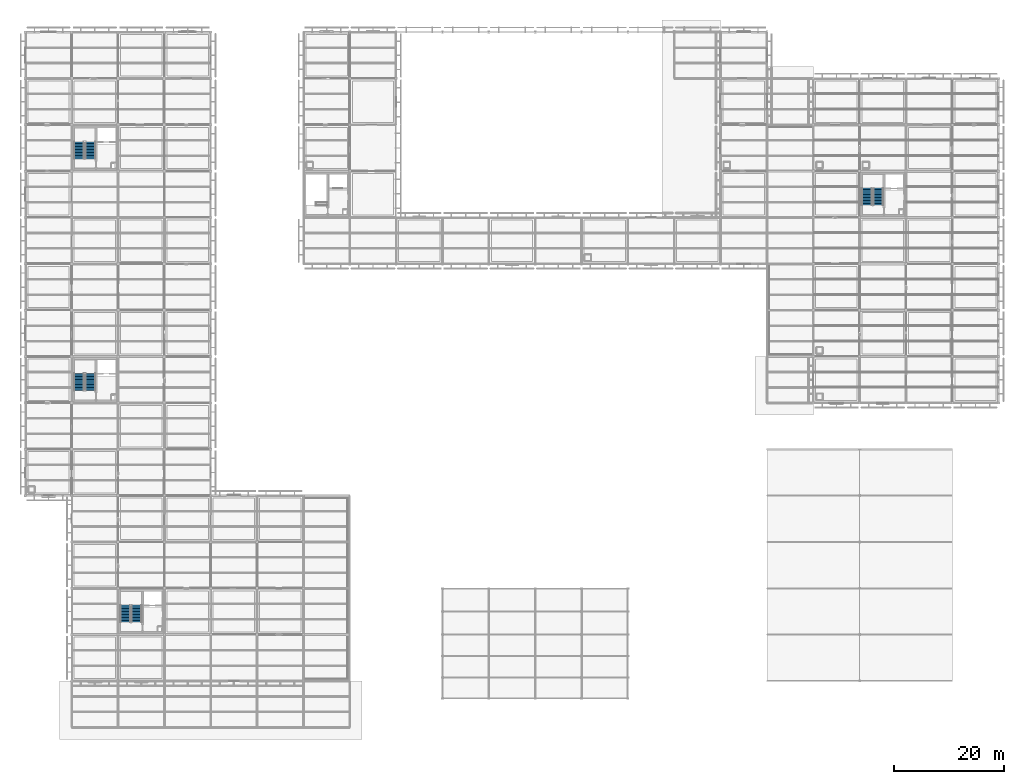
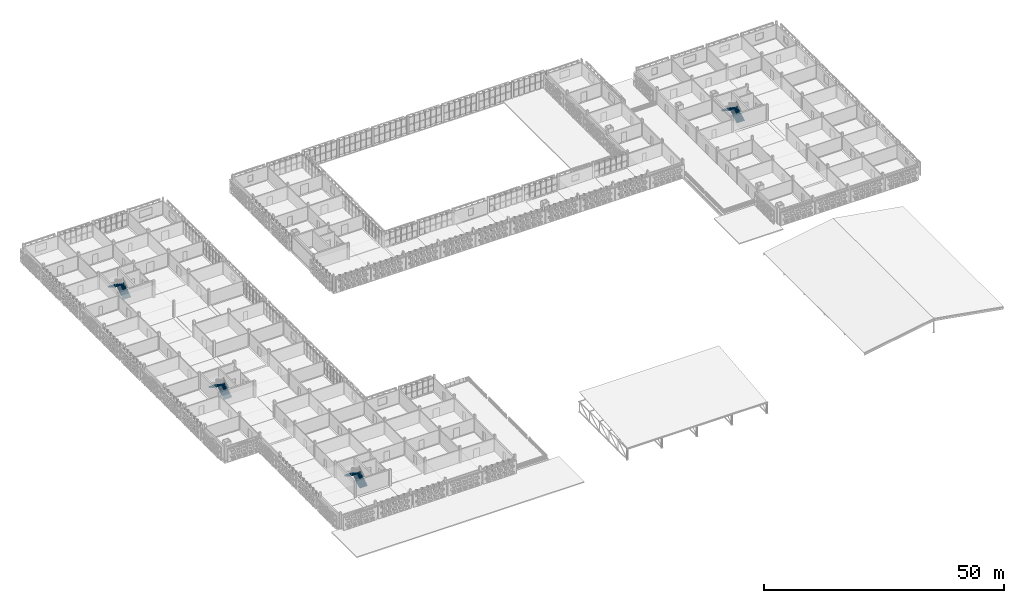
# One storey, part 93 of 140: 8 stair flights, 4 elements without a shape of their own.
"""IFC4 building model written with IfcOpenShell, lengths in metres."""

from ifc_helpers import new_model, si_unit, direction, frame, origin, place, context, subcontext, project, spatial, polyline, outline, extrude, material, type_object, element, aggregate, save


model = new_model("IFC4")

# Units and contexts
model_context = context("Model", 3, precision=1e-05, world=origin(), true_north=direction((0.0, 1.0)))
body_context = subcontext(model_context, "Body", "Model", "MODEL_VIEW")
ifc_project = project(units=[si_unit("LENGTHUNIT", "METRE"), si_unit("AREAUNIT", "SQUARE_METRE"), si_unit("VOLUMEUNIT", "CUBIC_METRE"), si_unit("PLANEANGLEUNIT", "RADIAN"), si_unit("MASSUNIT", "GRAM", prefix="KILO")], contexts=[model_context])

# Site, building, storey
site_placement = place(None, origin())
site = spatial("IfcSite", under=ifc_project, at=site_placement, CompositionType="ELEMENT")
building_placement = place(site_placement, origin())
building = spatial("IfcBuilding", under=site, at=building_placement, Name="Varnapada Polytechnic", CompositionType="ELEMENT")
storey_placement = place(building_placement, frame((0.0, 0.0, 13.800048828125)))
storey = spatial("IfcBuildingStorey", under=building, at=storey_placement, Name="L03", CompositionType="ELEMENT", Elevation=13.800048828125)

# Stair, stair flights
ifc_material = material(Name="Concrete C40/50", Category="concrete")
stair_type_1 = type_object("IfcStairType", Name="Core Exit Stair ST-A", PredefinedType="HALF_TURN_STAIR", material=ifc_material)
stair_1_placement = place(storey_placement, origin())
stair_1 = element("IfcStair", 1, at=stair_1_placement, inside=storey, type_object=stair_type_1, Name="L03 Core C1 Exit Stair", PredefinedType="HALF_TURN_STAIR")
stair_flight_type = type_object("IfcStairFlightType", Name="Stair Flight SFL-01", PredefinedType="STRAIGHT", material=ifc_material)
stair_flight_1_placement = place(storey_placement, frame((11.77490234375, 103.050048828125, 0.0), z_axis=(0.0, 0.0, 1.0), x_axis=(0.0, 1.0, 0.0)))
stair_flight_1 = element("IfcStairFlight", 2, at=stair_flight_1_placement, type_object=stair_flight_type, Name="ST-1 flight 1", NumberOfRisers=12, NumberOfTreads=11, PredefinedType="STRAIGHT", RiserHeight=0.175, TreadLength=0.28, context=body_context, shape_type="SweptSolid", body=[
    extrude(outline(polyline([(0.0, 0.0), (0.0, 0.175048828125), (0.280029296875, 0.175048828125), (0.280029296875, 0.35009765625), (0.56005859375, 0.35009765625), (0.56005859375, 0.52490234375), (0.840087890625, 0.52490234375), (0.840087890625, 0.699951171875), (1.1201171875, 0.699951171875), (1.1201171875, 0.875), (1.39990234375, 0.875), (1.39990234375, 1.050048828125), (1.679931640625, 1.050048828125), (1.679931640625, 1.22509765625), (1.9599609375, 1.22509765625), (1.9599609375, 1.39990234375), (2.239990234375, 1.39990234375), (2.239990234375, 1.574951171875), (2.52001953125, 1.574951171875), (2.52001953125, 1.75), (2.800048828125, 1.75), (2.800048828125, 1.925048828125), (3.080078125, 1.925048828125), (3.080078125, 2.10009765625), (3.080078125, 1.712890625), (0.339599609375, 0.0), (0.0, 0.0)])), frame((0.0, 0.925048828125, 0.0), z_axis=(0.0, -1.0, 0.0), x_axis=(1.0, 0.0, 0.0)), (0.0, 0.0, 1.0), 1.85009765625),
])
stair_flight_2_placement = place(storey_placement, frame((9.72509765625, 106.1298828125, 2.099853515625), z_axis=(0.0, 0.0, 1.0), x_axis=(0.0, -1.0, 0.0)))
stair_flight_2 = element("IfcStairFlight", 3, at=stair_flight_2_placement, type_object=stair_flight_type, Name="ST-1 flight 2", NumberOfRisers=12, NumberOfTreads=11, PredefinedType="STRAIGHT", RiserHeight=0.175, TreadLength=0.28, context=body_context, shape_type="SweptSolid", body=[
    extrude(outline(polyline([(0.0, 0.0), (0.0, 0.175048828125), (0.280029296875, 0.175048828125), (0.280029296875, 0.35009765625), (0.56005859375, 0.35009765625), (0.56005859375, 0.52490234375), (0.840087890625, 0.52490234375), (0.840087890625, 0.699951171875), (1.1201171875, 0.699951171875), (1.1201171875, 0.875), (1.39990234375, 0.875), (1.39990234375, 1.050048828125), (1.679931640625, 1.050048828125), (1.679931640625, 1.22509765625), (1.9599609375, 1.22509765625), (1.9599609375, 1.39990234375), (2.239990234375, 1.39990234375), (2.239990234375, 1.574951171875), (2.52001953125, 1.574951171875), (2.52001953125, 1.75), (2.800048828125, 1.75), (2.800048828125, 1.925048828125), (3.080078125, 1.925048828125), (3.080078125, 2.10009765625), (3.080078125, 1.712890625), (0.339599609375, 0.0), (0.0, 0.0)])), frame((0.0, 0.925048828125, 0.0), z_axis=(0.0, -1.0, 0.0), x_axis=(1.0, 0.0, 0.0)), (0.0, 0.0, 1.0), 1.85009765625),
])
aggregate(stair_1, [stair_flight_1, stair_flight_2])

stair_2_placement = place(storey_placement, origin())
stair_2 = element("IfcStair", 4, at=stair_2_placement, inside=storey, type_object=stair_type_1, Name="L03 Core C2 Exit Stair", PredefinedType="HALF_TURN_STAIR")
stair_flight_3_placement = place(storey_placement, frame((11.77490234375, 61.050048828125, 0.0), z_axis=(0.0, 0.0, 1.0), x_axis=(0.0, 1.0, 0.0)))
stair_flight_3 = element("IfcStairFlight", 5, at=stair_flight_3_placement, type_object=stair_flight_type, Name="ST-2 flight 1", NumberOfRisers=12, NumberOfTreads=11, PredefinedType="STRAIGHT", RiserHeight=0.175, TreadLength=0.28, context=body_context, shape_type="SweptSolid", body=[
    extrude(outline(polyline([(0.0, 0.0), (0.0, 0.175048828125), (0.280029296875, 0.175048828125), (0.280029296875, 0.35009765625), (0.56005859375, 0.35009765625), (0.56005859375, 0.52490234375), (0.840087890625, 0.52490234375), (0.840087890625, 0.699951171875), (1.1201171875, 0.699951171875), (1.1201171875, 0.875), (1.39990234375, 0.875), (1.39990234375, 1.050048828125), (1.679931640625, 1.050048828125), (1.679931640625, 1.22509765625), (1.9599609375, 1.22509765625), (1.9599609375, 1.39990234375), (2.239990234375, 1.39990234375), (2.239990234375, 1.574951171875), (2.52001953125, 1.574951171875), (2.52001953125, 1.75), (2.800048828125, 1.75), (2.800048828125, 1.925048828125), (3.080078125, 1.925048828125), (3.080078125, 2.10009765625), (3.080078125, 1.712890625), (0.339599609375, 0.0), (0.0, 0.0)])), frame((0.0, 0.925048828125, 0.0), z_axis=(0.0, -1.0, 0.0), x_axis=(1.0, 0.0, 0.0)), (0.0, 0.0, 1.0), 1.85009765625),
])
stair_flight_4_placement = place(storey_placement, frame((9.72509765625, 64.1298828125, 2.099853515625), z_axis=(0.0, 0.0, 1.0), x_axis=(0.0, -1.0, 0.0)))
stair_flight_4 = element("IfcStairFlight", 6, at=stair_flight_4_placement, type_object=stair_flight_type, Name="ST-2 flight 2", NumberOfRisers=12, NumberOfTreads=11, PredefinedType="STRAIGHT", RiserHeight=0.175, TreadLength=0.28, context=body_context, shape_type="SweptSolid", body=[
    extrude(outline(polyline([(0.0, 0.0), (0.0, 0.175048828125), (0.280029296875, 0.175048828125), (0.280029296875, 0.35009765625), (0.56005859375, 0.35009765625), (0.56005859375, 0.52490234375), (0.840087890625, 0.52490234375), (0.840087890625, 0.699951171875), (1.1201171875, 0.699951171875), (1.1201171875, 0.875), (1.39990234375, 0.875), (1.39990234375, 1.050048828125), (1.679931640625, 1.050048828125), (1.679931640625, 1.22509765625), (1.9599609375, 1.22509765625), (1.9599609375, 1.39990234375), (2.239990234375, 1.39990234375), (2.239990234375, 1.574951171875), (2.52001953125, 1.574951171875), (2.52001953125, 1.75), (2.800048828125, 1.75), (2.800048828125, 1.925048828125), (3.080078125, 1.925048828125), (3.080078125, 2.10009765625), (3.080078125, 1.712890625), (0.339599609375, 0.0), (0.0, 0.0)])), frame((0.0, 0.925048828125, 0.0), z_axis=(0.0, -1.0, 0.0), x_axis=(1.0, 0.0, 0.0)), (0.0, 0.0, 1.0), 1.85009765625),
])
aggregate(stair_2, [stair_flight_3, stair_flight_4])

stair_3_placement = place(storey_placement, origin())
stair_3 = element("IfcStair", 7, at=stair_3_placement, inside=storey, type_object=stair_type_1, Name="L03 Core C3 Exit Stair", PredefinedType="HALF_TURN_STAIR")
stair_flight_5_placement = place(storey_placement, frame((20.175048828125, 19.050048828125, 0.0), z_axis=(0.0, 0.0, 1.0), x_axis=(0.0, 1.0, 0.0)))
stair_flight_5 = element("IfcStairFlight", 8, at=stair_flight_5_placement, type_object=stair_flight_type, Name="ST-3 flight 1", NumberOfRisers=12, NumberOfTreads=11, PredefinedType="STRAIGHT", RiserHeight=0.175, TreadLength=0.28, context=body_context, shape_type="SweptSolid", body=[
    extrude(outline(polyline([(0.0, 0.0), (0.0, 0.175048828125), (0.280029296875, 0.175048828125), (0.280029296875, 0.35009765625), (0.56005859375, 0.35009765625), (0.56005859375, 0.52490234375), (0.840087890625, 0.52490234375), (0.840087890625, 0.699951171875), (1.1201171875, 0.699951171875), (1.1201171875, 0.875), (1.39990234375, 0.875), (1.39990234375, 1.050048828125), (1.679931640625, 1.050048828125), (1.679931640625, 1.22509765625), (1.9599609375, 1.22509765625), (1.9599609375, 1.39990234375), (2.239990234375, 1.39990234375), (2.239990234375, 1.574951171875), (2.52001953125, 1.574951171875), (2.52001953125, 1.75), (2.800048828125, 1.75), (2.800048828125, 1.925048828125), (3.080078125, 1.925048828125), (3.080078125, 2.10009765625), (3.080078125, 1.712890625), (0.339599609375, 0.0), (0.0, 0.0)])), frame((0.0, 0.925048828125, 0.0), z_axis=(0.0, -1.0, 0.0), x_axis=(1.0, 0.0, 0.0)), (0.0, 0.0, 1.0), 1.85009765625),
])
stair_flight_6_placement = place(storey_placement, frame((18.125, 22.1298828125, 2.099853515625), z_axis=(0.0, 0.0, 1.0), x_axis=(0.0, -1.0, 0.0)))
stair_flight_6 = element("IfcStairFlight", 9, at=stair_flight_6_placement, type_object=stair_flight_type, Name="ST-3 flight 2", NumberOfRisers=12, NumberOfTreads=11, PredefinedType="STRAIGHT", RiserHeight=0.175, TreadLength=0.28, context=body_context, shape_type="SweptSolid", body=[
    extrude(outline(polyline([(0.0, 0.0), (0.0, 0.175048828125), (0.280029296875, 0.175048828125), (0.280029296875, 0.35009765625), (0.56005859375, 0.35009765625), (0.56005859375, 0.52490234375), (0.840087890625, 0.52490234375), (0.840087890625, 0.699951171875), (1.1201171875, 0.699951171875), (1.1201171875, 0.875), (1.39990234375, 0.875), (1.39990234375, 1.050048828125), (1.679931640625, 1.050048828125), (1.679931640625, 1.22509765625), (1.9599609375, 1.22509765625), (1.9599609375, 1.39990234375), (2.239990234375, 1.39990234375), (2.239990234375, 1.574951171875), (2.52001953125, 1.574951171875), (2.52001953125, 1.75), (2.800048828125, 1.75), (2.800048828125, 1.925048828125), (3.080078125, 1.925048828125), (3.080078125, 2.10009765625), (3.080078125, 1.712890625), (0.339599609375, 0.0), (0.0, 0.0)])), frame((0.0, 0.925048828125, 0.0), z_axis=(0.0, -1.0, 0.0), x_axis=(1.0, 0.0, 0.0)), (0.0, 0.0, 1.0), 1.85009765625),
])
aggregate(stair_3, [stair_flight_5, stair_flight_6])

stair_type_2 = type_object("IfcStairType", Name="Core Exit Stair ST-B", PredefinedType="HALF_TURN_STAIR", material=ifc_material)
stair_4_placement = place(storey_placement, origin())
stair_4 = element("IfcStair", 10, at=stair_4_placement, inside=storey, type_object=stair_type_2, Name="L03 Core C5 Exit Stair", PredefinedType="HALF_TURN_STAIR")
stair_flight_7_placement = place(storey_placement, frame((154.574951171875, 94.64990234375, 0.0), z_axis=(0.0, 0.0, 1.0), x_axis=(0.0, 1.0, 0.0)))
stair_flight_7 = element("IfcStairFlight", 11, at=stair_flight_7_placement, type_object=stair_flight_type, Name="ST-5 flight 1", NumberOfRisers=12, NumberOfTreads=11, PredefinedType="STRAIGHT", RiserHeight=0.175, TreadLength=0.28, context=body_context, shape_type="SweptSolid", body=[
    extrude(outline(polyline([(0.0, 0.0), (0.0, 0.175048828125), (0.280029296875, 0.175048828125), (0.280029296875, 0.35009765625), (0.56005859375, 0.35009765625), (0.56005859375, 0.52490234375), (0.840087890625, 0.52490234375), (0.840087890625, 0.699951171875), (1.1201171875, 0.699951171875), (1.1201171875, 0.875), (1.39990234375, 0.875), (1.39990234375, 1.050048828125), (1.679931640625, 1.050048828125), (1.679931640625, 1.22509765625), (1.9599609375, 1.22509765625), (1.9599609375, 1.39990234375), (2.239990234375, 1.39990234375), (2.239990234375, 1.574951171875), (2.52001953125, 1.574951171875), (2.52001953125, 1.75), (2.800048828125, 1.75), (2.800048828125, 1.925048828125), (3.080078125, 1.925048828125), (3.080078125, 2.10009765625), (3.080078125, 1.712890625), (0.339599609375, 0.0), (0.0, 0.0)])), frame((0.0, 0.925048828125, 0.0), z_axis=(0.0, -1.0, 0.0), x_axis=(1.0, 0.0, 0.0)), (0.0, 0.0, 1.0), 1.85009765625),
])
stair_flight_8_placement = place(storey_placement, frame((152.52490234375, 97.72998046875, 2.099853515625), z_axis=(0.0, 0.0, 1.0), x_axis=(0.0, -1.0, 0.0)))
stair_flight_8 = element("IfcStairFlight", 12, at=stair_flight_8_placement, type_object=stair_flight_type, Name="ST-5 flight 2", NumberOfRisers=12, NumberOfTreads=11, PredefinedType="STRAIGHT", RiserHeight=0.175, TreadLength=0.28, context=body_context, shape_type="SweptSolid", body=[
    extrude(outline(polyline([(0.0, 0.0), (0.0, 0.175048828125), (0.280029296875, 0.175048828125), (0.280029296875, 0.35009765625), (0.56005859375, 0.35009765625), (0.56005859375, 0.52490234375), (0.840087890625, 0.52490234375), (0.840087890625, 0.699951171875), (1.1201171875, 0.699951171875), (1.1201171875, 0.875), (1.39990234375, 0.875), (1.39990234375, 1.050048828125), (1.679931640625, 1.050048828125), (1.679931640625, 1.22509765625), (1.9599609375, 1.22509765625), (1.9599609375, 1.39990234375), (2.239990234375, 1.39990234375), (2.239990234375, 1.574951171875), (2.52001953125, 1.574951171875), (2.52001953125, 1.75), (2.800048828125, 1.75), (2.800048828125, 1.925048828125), (3.080078125, 1.925048828125), (3.080078125, 2.10009765625), (3.080078125, 1.712890625), (0.339599609375, 0.0), (0.0, 0.0)])), frame((0.0, 0.925048828125, 0.0), z_axis=(0.0, -1.0, 0.0), x_axis=(1.0, 0.0, 0.0)), (0.0, 0.0, 1.0), 1.85009765625),
])
aggregate(stair_4, [stair_flight_7, stair_flight_8])

save(model, "model.ifc")
